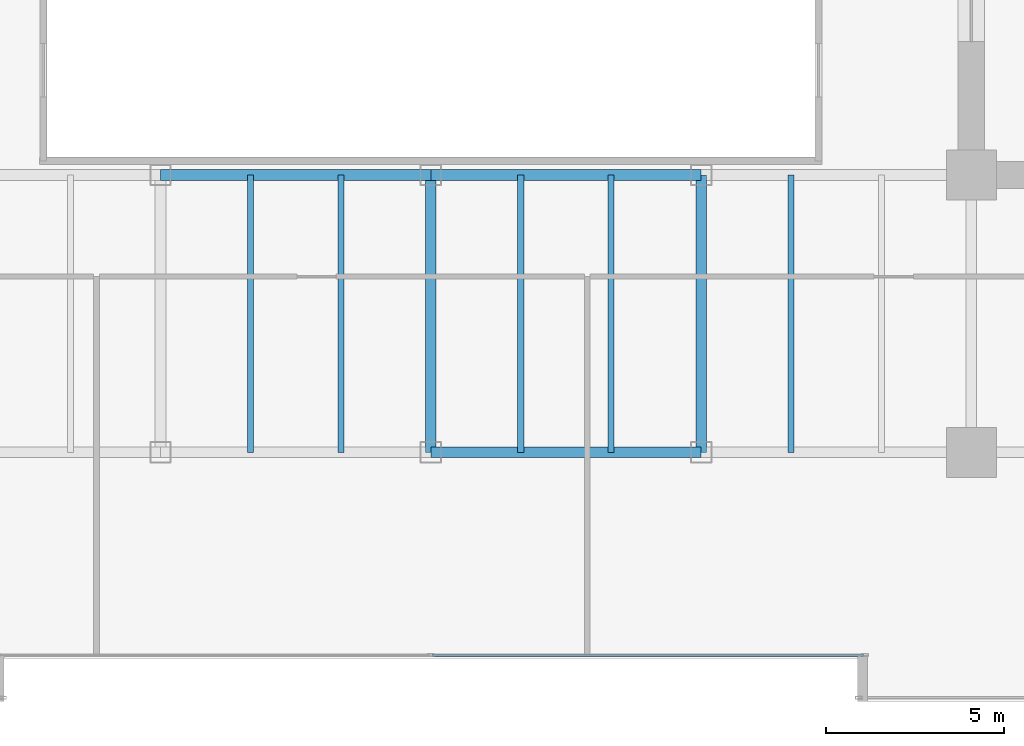
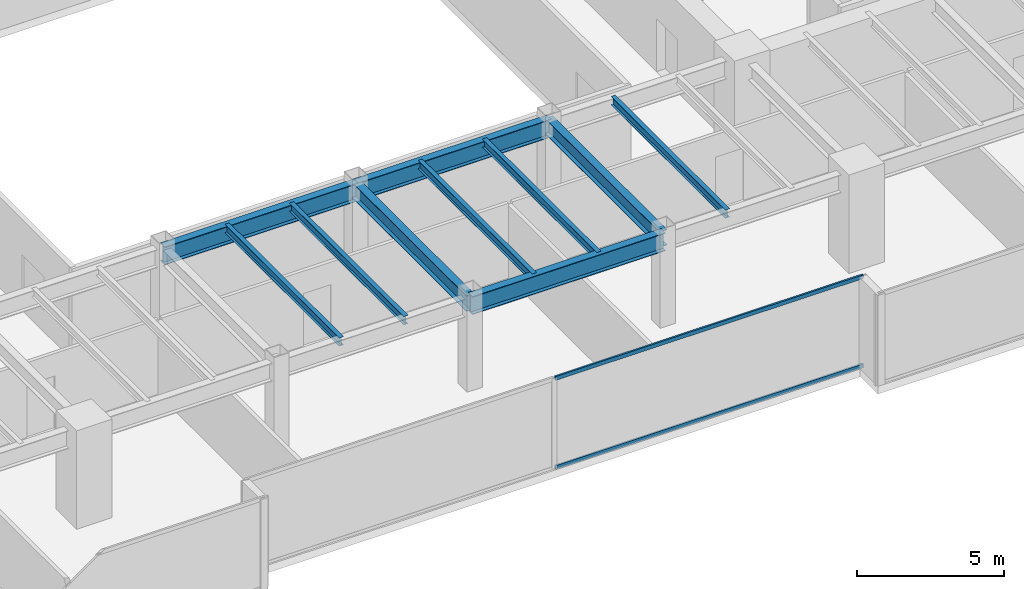
# One storey, part 9 of 35: 10 beams, 2 members, 1 element without a shape of its own.
"""IFC4 building model written with IfcOpenShell, lengths in metres."""

from ifc_helpers import new_model, si_unit, direction, frame, origin, origin_2d, place, context, subcontext, project, spatial, hollow_rectangle, i_section, extrude, source, transform, mapped, material, layer, layer_set, material_profile, profile_set, type_object, type_shapes, element, aggregate, save


model = new_model("IFC4")

# Units and contexts
model_context = context("Model", 3, precision=1e-05, world=origin(), true_north=direction((0.0, 1.0)))
body_context = subcontext(model_context, "Body", "Model", "MODEL_VIEW")
ifc_project = project(units=[si_unit("LENGTHUNIT", "METRE"), si_unit("AREAUNIT", "SQUARE_METRE"), si_unit("VOLUMEUNIT", "CUBIC_METRE"), si_unit("PLANEANGLEUNIT", "RADIAN"), si_unit("MASSUNIT", "GRAM", prefix="KILO")], contexts=[model_context])

# Site, building, storey
site_placement = place(None, origin())
site = spatial("IfcSite", under=ifc_project, at=site_placement, CompositionType="ELEMENT")
building_placement = place(site_placement, origin())
building = spatial("IfcBuilding", under=site, at=building_placement, Name="Haelvirn Gate Laboratories", CompositionType="ELEMENT")
storey_placement = place(building_placement, frame((0.0, 0.0, 82.60009765625)))
storey = spatial("IfcBuildingStorey", under=building, at=storey_placement, Name="L20", CompositionType="ELEMENT", Elevation=82.60009765625)

# Beams
ifc_material_1 = material(Name="Steel SM355", Category="steel")
ifc_material_profile_1 = material_profile(ifc_material_1, i_section(OverallWidth=0.300048828125, OverallDepth=0.75, WebThickness=0.013916015625, FlangeThickness=0.02392578125, at=origin_2d()), Name="H-750x300x14x24")
ifc_profile_set_1 = profile_set([ifc_material_profile_1], Name="Steel SM355")
beam_type_1 = type_object("IfcBeamType", Name="BM-G-750", PredefinedType="BEAM", material=ifc_profile_set_1)
shared_shape_1 = source(origin(), body_context, "Body", "SweptSolid", [
    extrude(i_section(OverallWidth=0.300048828125, OverallDepth=0.75, WebThickness=0.013916015625, FlangeThickness=0.02392578125, at=origin_2d()), origin(), (0.0, 0.0, 1.0), 7.60009765625),
])
for number, where, z_axis, x_axis, name in (
    (1, (37.39990234375, 7.0, 3.40478515625), (1.0, 0.0, 0.0), (0.0, 1.0, 0.0), "L20 Primary Girder Y7.0 (37.4-45.0)"),
    (2, (37.39990234375, 14.800048828125, 3.40478515625), (1.0, 0.0, 0.0), (0.0, 1.0, 0.0), "L20 Primary Girder Y14.8 (37.4-45.0)"),
):
    element("IfcBeam", number, at=place(storey_placement, frame(where, z_axis=z_axis, x_axis=x_axis)), inside=storey, type_object=beam_type_1, Name=name, PredefinedType="BEAM", context=body_context, shape_type="MappedRepresentation", body=[
        mapped(shared_shape_1, transform((0.0, 0.0, 0.0), scale=1.0)),
    ])
shared_shape_2 = source(origin(), body_context, "Body", "SweptSolid", [
    extrude(i_section(OverallWidth=0.300048828125, OverallDepth=0.75, WebThickness=0.013916015625, FlangeThickness=0.02392578125, at=origin_2d()), origin(), (0.0, 0.0, 1.0), 7.599853515625),
])
type_shapes(beam_type_1, [shared_shape_1, shared_shape_2])
beam_placement = place(storey_placement, frame((29.800048828125, 14.800048828125, 3.40478515625), z_axis=(1.0, 0.0, 0.0), x_axis=(0.0, 1.0, 0.0)))
element("IfcBeam", 3, at=beam_placement, inside=storey, type_object=beam_type_1, Name="L20 Primary Girder Y14.8 (29.8-37.4)", PredefinedType="BEAM", context=body_context, shape_type="MappedRepresentation", body=[
    mapped(shared_shape_2, transform((0.0, 0.0, 0.0), scale=1.0)),
])
ifc_material_profile_2 = material_profile(ifc_material_1, i_section(OverallWidth=0.175048828125, OverallDepth=0.35009765625, WebThickness=0.007080078125, FlangeThickness=0.010986328125, at=origin_2d()), Name="H-350x175x7x11")
ifc_profile_set_2 = profile_set([ifc_material_profile_2], Name="Steel SM355")
beam_type_2 = type_object("IfcBeamType", Name="BM-J-350", PredefinedType="JOIST", material=ifc_profile_set_2)
shared_shape_3 = source(origin(), body_context, "Body", "SweptSolid", [
    extrude(i_section(OverallWidth=0.175048828125, OverallDepth=0.35009765625, WebThickness=0.007080078125, FlangeThickness=0.010986328125, at=origin_2d()), origin(), (0.0, 0.0, 1.0), 7.800048828125),
])
type_shapes(beam_type_2, [shared_shape_3])
for number, where, z_axis, x_axis, name in (
    (4, (32.330078125, 7.0, 3.60498046875), (0.0, 1.0, 0.0), (-1.0, 0.0, 0.0), "L20 Composite Lab Joist South X32.33"),
    (5, (34.8701171875, 7.0, 3.60498046875), (0.0, 1.0, 0.0), (-1.0, 0.0, 0.0), "L20 Composite Lab Joist South X34.87"),
    (6, (39.929931640625, 7.0, 3.60498046875), (0.0, 1.0, 0.0), (-1.0, 0.0, 0.0), "L20 Composite Lab Joist South X39.93"),
    (7, (42.469970703125, 7.0, 3.60498046875), (0.0, 1.0, 0.0), (-1.0, 0.0, 0.0), "L20 Composite Lab Joist South X42.47"),
    (8, (47.530029296875, 7.0, 3.60498046875), (0.0, 1.0, 0.0), (-1.0, 0.0, 0.0), "L20 Composite Lab Joist South X47.53"),
):
    element("IfcBeam", number, at=place(storey_placement, frame(where, z_axis=z_axis, x_axis=x_axis)), inside=storey, type_object=beam_type_2, Name=name, PredefinedType="JOIST", context=body_context, shape_type="MappedRepresentation", body=[
        mapped(shared_shape_3, transform((0.0, 0.0, 0.0), scale=1.0)),
    ])
ifc_material_profile_3 = material_profile(ifc_material_1, i_section(OverallWidth=0.300048828125, OverallDepth=0.64990234375, WebThickness=0.012939453125, FlangeThickness=0.02197265625, at=origin_2d()), Name="H-650x300x13x22")
ifc_profile_set_3 = profile_set([ifc_material_profile_3], Name="Steel SM355")
beam_type_3 = type_object("IfcBeamType", Name="BM-G-650", PredefinedType="BEAM", material=ifc_profile_set_3)
shared_shape_4 = source(origin(), body_context, "Body", "SweptSolid", [
    extrude(i_section(OverallWidth=0.300048828125, OverallDepth=0.64990234375, WebThickness=0.012939453125, FlangeThickness=0.02197265625, at=origin_2d()), origin(), (0.0, 0.0, 1.0), 7.800048828125),
])
type_shapes(beam_type_3, [shared_shape_4])
for number, where, z_axis, x_axis, name in (
    (9, (37.39990234375, 7.0, 3.454833984375), (0.0, 1.0, 0.0), (-1.0, 0.0, 0.0), "L20 Frame Girder X37.4 (7.0-14.8)"),
    (10, (45.0, 7.0, 3.454833984375), (0.0, 1.0, 0.0), (-1.0, 0.0, 0.0), "L20 Frame Girder X45.0 (7.0-14.8)"),
):
    element("IfcBeam", number, at=place(storey_placement, frame(where, z_axis=z_axis, x_axis=x_axis)), inside=storey, type_object=beam_type_3, Name=name, PredefinedType="BEAM", context=body_context, shape_type="MappedRepresentation", body=[
        mapped(shared_shape_4, transform((0.0, 0.0, 0.0), scale=1.0)),
    ])

# Curtain wall, members
ifc_material_2 = material(Name="Anodised bronze unitised aluminium & triple low-E glass", Category="aluminium")
ifc_layer = layer(ifc_material_2, 0.18408203125, Name="CW-SYS-2")
ifc_layer_set = layer_set([ifc_layer], Name="Anodised bronze unitised aluminium & triple low-E glass")
curtain_wall_type = type_object("IfcCurtainWallType", Name="CW-SYS-2", PredefinedType="NOTDEFINED", material=ifc_layer_set)
curtain_wall_placement = place(storey_placement, origin())
curtain_wall = element("IfcCurtainWall", 11, at=curtain_wall_placement, inside=storey, type_object=curtain_wall_type, Name="L20 Unitised Curtain Wall CW-L20-P0-E02-1", PredefinedType="NOTDEFINED")
ifc_material_3 = material(Name="Extruded aluminium 6063-T6 (anodised bronze)", Category="aluminium")
ifc_material_profile_4 = material_profile(ifc_material_3, hollow_rectangle(XDim=0.070068359375, YDim=0.159912109375, WallThickness=0.0048828125, at=origin_2d()), Name="CWT-160x70x5")
ifc_profile_set_4 = profile_set([ifc_material_profile_4], Name="Extruded aluminium 6063-T6 (anodised bronze)")
member_type = type_object("IfcMemberType", Name="CWT-T160", PredefinedType="USERDEFINED", material=ifc_profile_set_4)
shared_shape_5 = source(origin(), body_context, "Body", "SweptSolid", [
    extrude(hollow_rectangle(XDim=0.070068359375, YDim=0.159912109375, WallThickness=0.0048828125, at=origin_2d()), origin(), (0.0, 0.0, 1.0), 12.12744140625),
])
type_shapes(member_type, [shared_shape_5])
member_1_placement = place(storey_placement, frame((37.4375, 1.300048828125, 0.034912109375), z_axis=(1.0, 0.0, 0.0), x_axis=(0.0, 1.0, 0.0)))
member_1 = element("IfcMember", 12, at=member_1_placement, type_object=member_type, Name="CW2 transom 2.1", ObjectType="TRANSOM", PredefinedType="USERDEFINED", context=body_context, shape_type="MappedRepresentation", body=[
    mapped(shared_shape_5, transform((0.0, 0.0, 0.0), scale=1.0)),
])
member_2_placement = place(storey_placement, frame((37.4375, 1.300048828125, 3.744873046875), z_axis=(1.0, 0.0, 0.0), x_axis=(0.0, 1.0, 0.0)))
member_2 = element("IfcMember", 13, at=member_2_placement, type_object=member_type, Name="CW2 transom 2.2", ObjectType="TRANSOM", PredefinedType="USERDEFINED", context=body_context, shape_type="MappedRepresentation", body=[
    mapped(shared_shape_5, transform((0.0, 0.0, 0.0), scale=1.0)),
])
aggregate(curtain_wall, [member_1, member_2])

save(model, "model.ifc")
